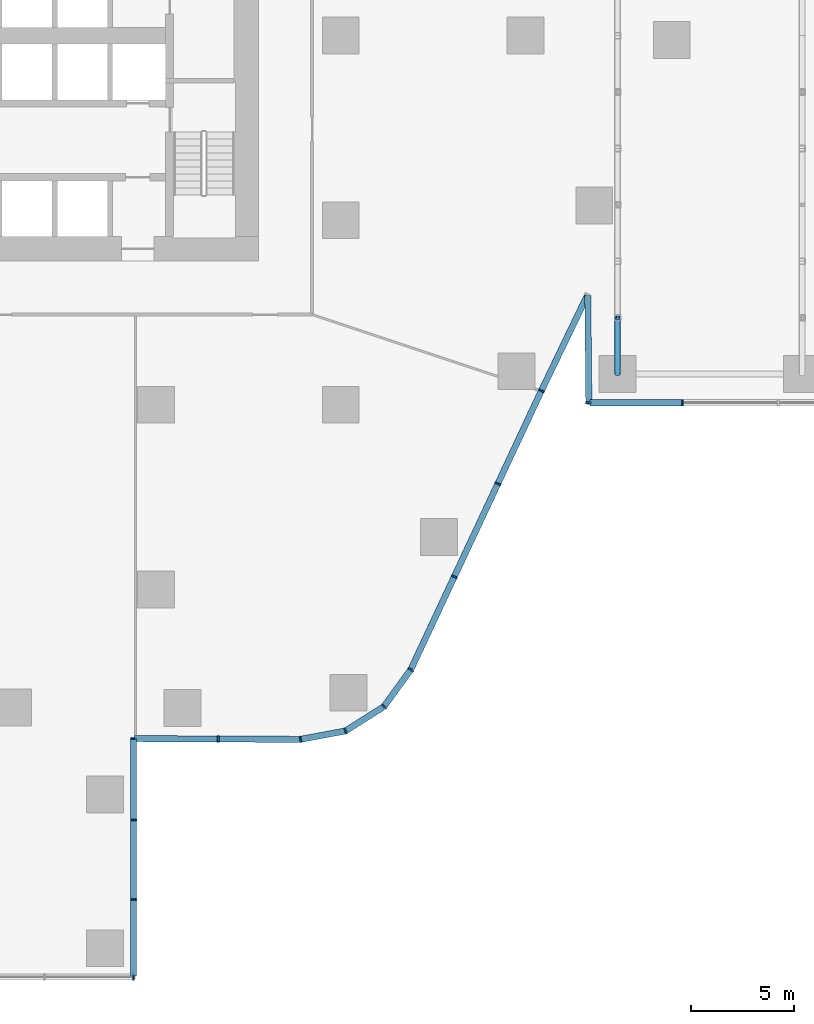
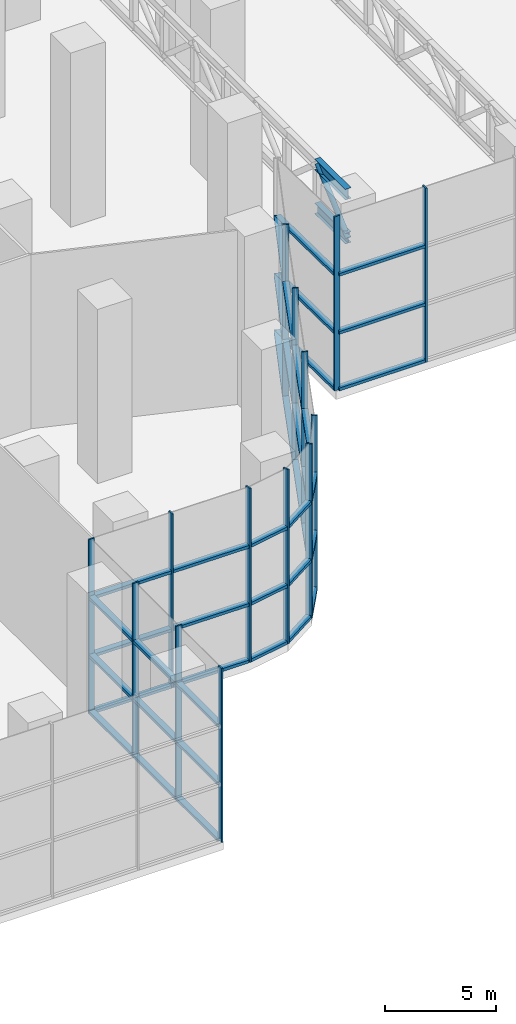
# One storey, part 5 of 21: 59 members, 7 elements without a shape of their own.
"""IFC4 building model written with IfcOpenShell, lengths in metres."""

from ifc_helpers import new_model, si_unit, direction, frame, origin, origin_2d, place, context, subcontext, project, spatial, rectangle, hollow_circle, i_section, extrude, material, layer, layer_set, material_profile, profile_set, type_object, element, aggregate, save


model = new_model("IFC4")

# Units and contexts
model_context = context("Model", 3, precision=1e-05, world=origin(), true_north=direction((0.0, 1.0)))
body_context = subcontext(model_context, "Body", "Model", "MODEL_VIEW")
ifc_project = project(units=[si_unit("LENGTHUNIT", "METRE"), si_unit("AREAUNIT", "SQUARE_METRE"), si_unit("VOLUMEUNIT", "CUBIC_METRE"), si_unit("PLANEANGLEUNIT", "RADIAN"), si_unit("MASSUNIT", "GRAM", prefix="KILO")], contexts=[model_context])

# Site, building, storey
site_placement = place(None, origin())
site = spatial("IfcSite", under=ifc_project, at=site_placement, CompositionType="ELEMENT")
building_placement = place(site_placement, origin())
building = spatial("IfcBuilding", under=site, at=building_placement, Name="Dongbaek Canopy Tower", CompositionType="ELEMENT")
storey_placement = place(building_placement, frame((0.0, 0.0, 9.0)))
storey = spatial("IfcBuildingStorey", under=building, at=storey_placement, Name="L01", CompositionType="ELEMENT", Elevation=9.0)

# Members
ifc_material_1 = material(Name="Steel S355", Category="steel")
ifc_material_profile_1 = material_profile(ifc_material_1, hollow_circle(Radius=0.1337890625, WallThickness=0.00927734375, at=origin_2d()), Name="BRACE CHS 267.4x9.3 Steel S355")
ifc_profile_set_1 = profile_set([ifc_material_profile_1], Name="Steel S355")
member_type_1 = type_object("IfcMemberType", Name="BRACE CHS 267.4x9.3 Steel S355", PredefinedType="BRACE", material=ifc_profile_set_1)
member_1_placement = place(storey_placement, frame((31.5, -16.5, 6.993896484375), z_axis=(0.0, 0.751782331066, 0.659411348627), x_axis=(-1.0, 0.0, 0.0)))
element("IfcMember", 1, at=member_1_placement, inside=storey, type_object=member_type_1, Name="ROOFTRUSS:EW:0:D0", PredefinedType="BRACE", context=body_context, shape_type="SweptSolid", body=[
    extrude(hollow_circle(Radius=0.1337890625, WallThickness=0.00927734375, at=origin_2d()), origin(), (0.0, 0.0, 1.0), 3.657958984375),
])
ifc_material_2 = material(Name="Steel S355", Category="steel")
ifc_material_profile_2 = material_profile(ifc_material_2, i_section(OverallWidth=0.300048828125, OverallDepth=0.587890625, WebThickness=0.011962890625, FlangeThickness=0.02001953125, FilletRadius=0.028076171875, at=origin_2d()), Name="CHORD H 588x300x12x20 Steel S355")
ifc_profile_set_2 = profile_set([ifc_material_profile_2], Name="Steel S355")
member_type_2 = type_object("IfcMemberType", Name="CHORD H 588x300x12x20 Steel S355", PredefinedType="CHORD", material=ifc_profile_set_2)
for number, where, z_axis, x_axis, name in (
    (2, (31.5, -16.5, 6.993896484375), (0.0, 1.0, 0.0), (-1.0, 0.0, 0.0), "ROOFTRUSS:EW:0:CB0"),
    (3, (31.5, -16.5, 9.406005859375), (0.0, 1.0, 0.0), (-1.0, 0.0, 0.0), "ROOFTRUSS:EW:0:CT0"),
):
    element("IfcMember", number, at=place(storey_placement, frame(where, z_axis=z_axis, x_axis=x_axis)), inside=storey, type_object=member_type_2, Name=name, PredefinedType="CHORD", context=body_context, shape_type="SweptSolid", body=[
        extrude(i_section(OverallWidth=0.300048828125, OverallDepth=0.587890625, WebThickness=0.011962890625, FlangeThickness=0.02001953125, FilletRadius=0.028076171875, at=origin_2d()), origin(), (0.0, 0.0, 1.0), 2.75),
    ])

# Curtain wall, members
ifc_material_3 = material(Name="Aluminium 6063-T6 pale anodised", Category="aluminium")
ifc_layer = layer(ifc_material_3, 0.300048828125)
ifc_layer_set = layer_set([ifc_layer], Name="CW-2 podium hall curtain wall")
curtain_wall_type = type_object("IfcCurtainWallType", Name="CW-2 podium hall curtain wall", PredefinedType="NOTDEFINED", material=ifc_layer_set)
curtain_wall_1_placement = place(storey_placement, origin())
curtain_wall_1 = element("IfcCurtainWall", 4, at=curtain_wall_1_placement, inside=storey, type_object=curtain_wall_type, Name="CW-2 curtain wall K0.1", PredefinedType="NOTDEFINED")
ifc_material_4 = material(Name="Aluminium 6063-T6 pale anodised", Category="aluminium")
ifc_material_profile_3 = material_profile(ifc_material_4, rectangle(XDim=0.300048828125, YDim=0.080078125, at=origin_2d()), Name="CW-2 mullion 80 x 300")
ifc_profile_set_3 = profile_set([ifc_material_profile_3], Name="Aluminium 6063-T6 pale anodised")
member_type_3 = type_object("IfcMemberType", Name="CW-2 mullion 80 x 300", PredefinedType="MULLION", material=ifc_profile_set_3)
member_2_placement = place(storey_placement, frame((16.03662109375, -34.31591796875, 0.0), z_axis=(0.0, 0.0, 1.0), x_axis=(0.184024020391, -0.98292174659, 0.0)))
member_2 = element("IfcMember", 5, at=member_2_placement, type_object=member_type_3, Name="CW-2 mullion K0.1.1", PredefinedType="MULLION", context=body_context, shape_type="SweptSolid", body=[
    extrude(rectangle(XDim=0.300048828125, YDim=0.080078125, at=origin_2d()), origin(), (0.0, 0.0, 1.0), 9.550048828125),
])
member_3_placement = place(storey_placement, frame((18.23095703125, -33.9052734375, 0.0), z_axis=(0.0, 0.0, 1.0), x_axis=(0.365922378018, -0.930645374601, 0.0)))
member_3 = element("IfcMember", 6, at=member_3_placement, type_object=member_type_3, Name="CW-2 mullion K0.1.2", PredefinedType="MULLION", context=body_context, shape_type="SweptSolid", body=[
    extrude(rectangle(XDim=0.300048828125, YDim=0.080078125, at=origin_2d()), origin(), (0.0, 0.0, 1.0), 9.550048828125),
])
member_4_placement = place(storey_placement, frame((20.10888671875, -32.716796875, 0.0), z_axis=(0.0, 0.0, 1.0), x_axis=(0.684351137635, -0.729152604342, 0.0)))
member_4 = element("IfcMember", 7, at=member_4_placement, type_object=member_type_3, Name="CW-2 mullion K0.1.3", PredefinedType="MULLION", context=body_context, shape_type="SweptSolid", body=[
    extrude(rectangle(XDim=0.300048828125, YDim=0.080078125, at=origin_2d()), origin(), (0.0, 0.0, 1.0), 9.550048828125),
])
member_5_placement = place(storey_placement, frame((21.419677734375, -30.909912109375, 0.0), z_axis=(0.0, 0.0, 1.0), x_axis=(0.809475494092, -0.587153663418, 0.0)))
member_5 = element("IfcMember", 8, at=member_5_placement, type_object=member_type_3, Name="CW-2 mullion K0.1.4", PredefinedType="MULLION", context=body_context, shape_type="SweptSolid", body=[
    extrude(rectangle(XDim=0.300048828125, YDim=0.080078125, at=origin_2d()), origin(), (0.0, 0.0, 1.0), 9.550048828125),
])

curtain_wall_2_placement = place(storey_placement, origin())
curtain_wall_2 = element("IfcCurtainWall", 9, at=curtain_wall_2_placement, inside=storey, type_object=curtain_wall_type, Name="CW-2 curtain wall F0.1", PredefinedType="NOTDEFINED")
member_6_placement = place(storey_placement, frame((23.5390625, -26.38427734375, 0.0), z_axis=(0.0, 0.0, 1.0), x_axis=(0.905604660176, -0.42412285893, 0.0)))
member_6 = element("IfcMember", 10, at=member_6_placement, type_object=member_type_3, Name="CW-2 mullion F0.1.2", PredefinedType="MULLION", context=body_context, shape_type="SweptSolid", body=[
    extrude(rectangle(XDim=0.300048828125, YDim=0.080078125, at=origin_2d()), origin(), (0.0, 0.0, 1.0), 9.550048828125),
])
member_7_placement = place(storey_placement, frame((25.66259765625, -21.850341796875, 0.0), z_axis=(0.0, 0.0, 1.0), x_axis=(0.905604660176, -0.42412285893, 0.0)))
member_7 = element("IfcMember", 11, at=member_7_placement, type_object=member_type_3, Name="CW-2 mullion F0.1.3", PredefinedType="MULLION", context=body_context, shape_type="SweptSolid", body=[
    extrude(rectangle(XDim=0.300048828125, YDim=0.080078125, at=origin_2d()), origin(), (0.0, 0.0, 1.0), 9.550048828125),
])
member_8_placement = place(storey_placement, frame((27.785888671875, -17.316162109375, 0.0), z_axis=(0.0, 0.0, 1.0), x_axis=(0.903286066188, -0.429038789191, 0.0)))
member_8 = element("IfcMember", 12, at=member_8_placement, type_object=member_type_3, Name="CW-2 mullion F0.1.4", PredefinedType="MULLION", context=body_context, shape_type="SweptSolid", body=[
    extrude(rectangle(XDim=0.300048828125, YDim=0.080078125, at=origin_2d()), origin(), (0.0, 0.0, 1.0), 9.550048828125),
])

# Curtain wall, member
curtain_wall_3_placement = place(storey_placement, origin())
curtain_wall_3 = element("IfcCurtainWall", 13, at=curtain_wall_3_placement, inside=storey, type_object=curtain_wall_type, Name="CW-2 curtain wall F1.1", PredefinedType="NOTDEFINED")
member_9_placement = place(storey_placement, frame((30.10009765625, -17.89990234375, 0.0), z_axis=(0.0, 0.0, 1.0), x_axis=(-0.999942447901, -0.010728508095, 0.0)))
member_9 = element("IfcMember", 14, at=member_9_placement, type_object=member_type_3, Name="CW-2 mullion F1.1.2", PredefinedType="MULLION", context=body_context, shape_type="SweptSolid", body=[
    extrude(rectangle(XDim=0.300048828125, YDim=0.080078125, at=origin_2d()), origin(), (0.0, 0.0, 1.0), 9.550048828125),
])

curtain_wall_4_placement = place(storey_placement, origin())
curtain_wall_4 = element("IfcCurtainWall", 15, at=curtain_wall_4_placement, inside=storey, type_object=curtain_wall_type, Name="CW-2 curtain wall F2.1", PredefinedType="NOTDEFINED")
member_10_placement = place(storey_placement, frame((34.666748046875, -17.89990234375, 0.0), z_axis=(0.0, 0.0, 1.0), x_axis=(0.0, -1.0, 0.0)))
member_10 = element("IfcMember", 16, at=member_10_placement, type_object=member_type_3, Name="CW-2 mullion F2.1.2", PredefinedType="MULLION", context=body_context, shape_type="SweptSolid", body=[
    extrude(rectangle(XDim=0.300048828125, YDim=0.080078125, at=origin_2d()), origin(), (0.0, 0.0, 1.0), 9.550048828125),
])

curtain_wall_5_placement = place(storey_placement, origin())
curtain_wall_5 = element("IfcCurtainWall", 17, at=curtain_wall_5_placement, inside=storey, type_object=curtain_wall_type, Name="CW-2 curtain wall F11.1", PredefinedType="NOTDEFINED")
member_11_placement = place(storey_placement, frame((7.89990234375, -45.89990234375, 0.0), z_axis=(0.0, 0.0, 1.0), x_axis=(0.0, -1.0, 0.0)))
member_11 = element("IfcMember", 18, at=member_11_placement, type_object=member_type_3, Name="CW-2 mullion F11.1.10", PredefinedType="MULLION", context=body_context, shape_type="SweptSolid", body=[
    extrude(rectangle(XDim=0.300048828125, YDim=0.080078125, at=origin_2d()), origin(), (0.0, 0.0, 1.0), 9.550048828125),
])
aggregate(curtain_wall_5, [member_11])

# Curtain wall, members
curtain_wall_6_placement = place(storey_placement, origin())
curtain_wall_6 = element("IfcCurtainWall", 19, at=curtain_wall_6_placement, inside=storey, type_object=curtain_wall_type, Name="CW-2 curtain wall F12.1", PredefinedType="NOTDEFINED")
member_12_placement = place(storey_placement, frame((7.89990234375, -42.126708984375, 0.0), z_axis=(0.0, 0.0, 1.0), x_axis=(1.0, 0.0, 0.0)))
member_12 = element("IfcMember", 20, at=member_12_placement, type_object=member_type_3, Name="CW-2 mullion F12.1.2", PredefinedType="MULLION", context=body_context, shape_type="SweptSolid", body=[
    extrude(rectangle(XDim=0.300048828125, YDim=0.080078125, at=origin_2d()), origin(), (0.0, 0.0, 1.0), 9.550048828125),
])
member_13_placement = place(storey_placement, frame((7.89990234375, -38.25341796875, 0.0), z_axis=(0.0, 0.0, 1.0), x_axis=(1.0, 0.0, 0.0)))
member_13 = element("IfcMember", 21, at=member_13_placement, type_object=member_type_3, Name="CW-2 mullion F12.1.3", PredefinedType="MULLION", context=body_context, shape_type="SweptSolid", body=[
    extrude(rectangle(XDim=0.300048828125, YDim=0.080078125, at=origin_2d()), origin(), (0.0, 0.0, 1.0), 9.550048828125),
])
member_14_placement = place(storey_placement, frame((7.89990234375, -34.27978515625, 0.0), z_axis=(0.0, 0.0, 1.0), x_axis=(1.0, 0.0, 0.0)))
member_14 = element("IfcMember", 22, at=member_14_placement, type_object=member_type_3, Name="CW-2 mullion F12.1.4", PredefinedType="MULLION", context=body_context, shape_type="SweptSolid", body=[
    extrude(rectangle(XDim=0.300048828125, YDim=0.080078125, at=origin_2d()), origin(), (0.0, 0.0, 1.0), 9.550048828125),
])

# Curtain wall, member
curtain_wall_7_placement = place(storey_placement, origin())
curtain_wall_7 = element("IfcCurtainWall", 23, at=curtain_wall_7_placement, inside=storey, type_object=curtain_wall_type, Name="CW-2 curtain wall F13.1", PredefinedType="NOTDEFINED")
member_15_placement = place(storey_placement, frame((12.0234375, -34.298095703125, 0.0), z_axis=(0.0, 0.0, 1.0), x_axis=(-0.004466151006, -0.999990026698, 0.0)))
member_15 = element("IfcMember", 24, at=member_15_placement, type_object=member_type_3, Name="CW-2 mullion F13.1.2", PredefinedType="MULLION", context=body_context, shape_type="SweptSolid", body=[
    extrude(rectangle(XDim=0.300048828125, YDim=0.080078125, at=origin_2d()), origin(), (0.0, 0.0, 1.0), 9.550048828125),
])

# Member
ifc_material_5 = material(Name="Aluminium 6063-T6 pale anodised", Category="aluminium")
ifc_material_profile_4 = material_profile(ifc_material_5, rectangle(XDim=0.300048828125, YDim=0.159912109375, at=origin_2d()), Name="CW-2 transom 160 x 300")
ifc_profile_set_4 = profile_set([ifc_material_profile_4], Name="Aluminium 6063-T6 pale anodised")
member_type_4 = type_object("IfcMemberType", Name="CW-2 transom 160 x 300", PredefinedType="USERDEFINED", material=ifc_profile_set_4)
member_16_placement = place(storey_placement, frame((16.087890625, -34.306396484375, 0.080078125), z_axis=(0.982924096729, 0.184011467221, 0.0), x_axis=(-0.184011467221, 0.982924096729, 0.0)))
member_16 = element("IfcMember", 25, at=member_16_placement, type_object=member_type_4, Name="CW-2 transom K0.1.1.1", ObjectType="TRANSOM", PredefinedType="USERDEFINED", context=body_context, shape_type="SweptSolid", body=[
    extrude(rectangle(XDim=0.300048828125, YDim=0.159912109375, at=origin_2d()), origin(), (0.0, 0.0, 1.0), 2.128173828125),
])

member_17_placement = place(storey_placement, frame((16.087890625, -34.306396484375, 3.183349609375), z_axis=(0.982924096729, 0.184011467221, 0.0), x_axis=(-0.184011467221, 0.982924096729, 0.0)))
member_17 = element("IfcMember", 26, at=member_17_placement, type_object=member_type_4, Name="CW-2 transom K0.1.1.2", ObjectType="TRANSOM", PredefinedType="USERDEFINED", context=body_context, shape_type="SweptSolid", body=[
    extrude(rectangle(XDim=0.300048828125, YDim=0.159912109375, at=origin_2d()), origin(), (0.0, 0.0, 1.0), 2.128173828125),
])

member_18_placement = place(storey_placement, frame((16.087890625, -34.306396484375, 6.36669921875), z_axis=(0.982924096729, 0.184011467221, 0.0), x_axis=(-0.184011467221, 0.982924096729, 0.0)))
member_18 = element("IfcMember", 27, at=member_18_placement, type_object=member_type_4, Name="CW-2 transom K0.1.1.3", ObjectType="TRANSOM", PredefinedType="USERDEFINED", context=body_context, shape_type="SweptSolid", body=[
    extrude(rectangle(XDim=0.300048828125, YDim=0.159912109375, at=origin_2d()), origin(), (0.0, 0.0, 1.0), 2.128173828125),
])

member_19_placement = place(storey_placement, frame((18.27490234375, -33.87744140625, 0.080078125), z_axis=(0.845006566242, 0.534755928446, 0.0), x_axis=(-0.534755928446, 0.845006566242, 0.0)))
member_19 = element("IfcMember", 28, at=member_19_placement, type_object=member_type_4, Name="CW-2 transom K0.1.2.1", ObjectType="TRANSOM", PredefinedType="USERDEFINED", context=body_context, shape_type="SweptSolid", body=[
    extrude(rectangle(XDim=0.300048828125, YDim=0.159912109375, at=origin_2d()), origin(), (0.0, 0.0, 1.0), 2.118408203125),
])

member_20_placement = place(storey_placement, frame((18.27490234375, -33.87744140625, 3.183349609375), z_axis=(0.845006566242, 0.534755928446, 0.0), x_axis=(-0.534755928446, 0.845006566242, 0.0)))
member_20 = element("IfcMember", 29, at=member_20_placement, type_object=member_type_4, Name="CW-2 transom K0.1.2.2", ObjectType="TRANSOM", PredefinedType="USERDEFINED", context=body_context, shape_type="SweptSolid", body=[
    extrude(rectangle(XDim=0.300048828125, YDim=0.159912109375, at=origin_2d()), origin(), (0.0, 0.0, 1.0), 2.118408203125),
])

member_21_placement = place(storey_placement, frame((18.27490234375, -33.87744140625, 6.36669921875), z_axis=(0.845006566242, 0.534755928446, 0.0), x_axis=(-0.534755928446, 0.845006566242, 0.0)))
member_21 = element("IfcMember", 30, at=member_21_placement, type_object=member_type_4, Name="CW-2 transom K0.1.2.3", ObjectType="TRANSOM", PredefinedType="USERDEFINED", context=body_context, shape_type="SweptSolid", body=[
    extrude(rectangle(XDim=0.300048828125, YDim=0.159912109375, at=origin_2d()), origin(), (0.0, 0.0, 1.0), 2.118408203125),
])

member_22_placement = place(storey_placement, frame((20.1396484375, -32.6748046875, 0.080078125), z_axis=(0.587093507352, 0.809519124928, 0.0), x_axis=(-0.809519124928, 0.587093507352, 0.0)))
member_22 = element("IfcMember", 31, at=member_22_placement, type_object=member_type_4, Name="CW-2 transom K0.1.3.1", ObjectType="TRANSOM", PredefinedType="USERDEFINED", context=body_context, shape_type="SweptSolid", body=[
    extrude(rectangle(XDim=0.300048828125, YDim=0.159912109375, at=origin_2d()), origin(), (0.0, 0.0, 1.0), 2.12841796875),
])

member_23_placement = place(storey_placement, frame((20.1396484375, -32.6748046875, 3.183349609375), z_axis=(0.587093507352, 0.809519124928, 0.0), x_axis=(-0.809519124928, 0.587093507352, 0.0)))
member_23 = element("IfcMember", 32, at=member_23_placement, type_object=member_type_4, Name="CW-2 transom K0.1.3.2", ObjectType="TRANSOM", PredefinedType="USERDEFINED", context=body_context, shape_type="SweptSolid", body=[
    extrude(rectangle(XDim=0.300048828125, YDim=0.159912109375, at=origin_2d()), origin(), (0.0, 0.0, 1.0), 2.12841796875),
])

member_24_placement = place(storey_placement, frame((20.1396484375, -32.6748046875, 6.36669921875), z_axis=(0.587093507352, 0.809519124928, 0.0), x_axis=(-0.809519124928, 0.587093507352, 0.0)))
member_24 = element("IfcMember", 33, at=member_24_placement, type_object=member_type_4, Name="CW-2 transom K0.1.3.3", ObjectType="TRANSOM", PredefinedType="USERDEFINED", context=body_context, shape_type="SweptSolid", body=[
    extrude(rectangle(XDim=0.300048828125, YDim=0.159912109375, at=origin_2d()), origin(), (0.0, 0.0, 1.0), 2.12841796875),
])

aggregate(curtain_wall_1, [member_2, member_3, member_4, member_5, member_16, member_17, member_18, member_19, member_20, member_21, member_22, member_23, member_24])

member_25_placement = place(storey_placement, frame((21.441650390625, -30.86279296875, 0.080078125), z_axis=(0.424136016304, 0.905598498052, 0.0), x_axis=(-0.905598498052, 0.424136016304, 0.0)))
member_25 = element("IfcMember", 34, at=member_25_placement, type_object=member_type_4, Name="CW-2 transom F0.1.1.1", ObjectType="TRANSOM", PredefinedType="USERDEFINED", context=body_context, shape_type="SweptSolid", body=[
    extrude(rectangle(XDim=0.300048828125, YDim=0.159912109375, at=origin_2d()), origin(), (0.0, 0.0, 1.0), 4.893310546875),
])

member_26_placement = place(storey_placement, frame((21.441650390625, -30.86279296875, 3.183349609375), z_axis=(0.424136016304, 0.905598498052, 0.0), x_axis=(-0.905598498052, 0.424136016304, 0.0)))
member_26 = element("IfcMember", 35, at=member_26_placement, type_object=member_type_4, Name="CW-2 transom F0.1.1.2", ObjectType="TRANSOM", PredefinedType="USERDEFINED", context=body_context, shape_type="SweptSolid", body=[
    extrude(rectangle(XDim=0.300048828125, YDim=0.159912109375, at=origin_2d()), origin(), (0.0, 0.0, 1.0), 4.893310546875),
])

member_27_placement = place(storey_placement, frame((21.441650390625, -30.86279296875, 6.36669921875), z_axis=(0.424136016304, 0.905598498052, 0.0), x_axis=(-0.905598498052, 0.424136016304, 0.0)))
member_27 = element("IfcMember", 36, at=member_27_placement, type_object=member_type_4, Name="CW-2 transom F0.1.1.3", ObjectType="TRANSOM", PredefinedType="USERDEFINED", context=body_context, shape_type="SweptSolid", body=[
    extrude(rectangle(XDim=0.300048828125, YDim=0.159912109375, at=origin_2d()), origin(), (0.0, 0.0, 1.0), 4.893310546875),
])

member_28_placement = place(storey_placement, frame((23.56103515625, -26.337158203125, 0.080078125), z_axis=(0.424139125873, 0.905597041682, 0.0), x_axis=(-0.905597041682, 0.424139125873, 0.0)))
member_28 = element("IfcMember", 37, at=member_28_placement, type_object=member_type_4, Name="CW-2 transom F0.1.2.1", ObjectType="TRANSOM", PredefinedType="USERDEFINED", context=body_context, shape_type="SweptSolid", body=[
    extrude(rectangle(XDim=0.300048828125, YDim=0.159912109375, at=origin_2d()), origin(), (0.0, 0.0, 1.0), 4.902587890625),
])

member_29_placement = place(storey_placement, frame((23.56103515625, -26.337158203125, 3.183349609375), z_axis=(0.424139125873, 0.905597041682, 0.0), x_axis=(-0.905597041682, 0.424139125873, 0.0)))
member_29 = element("IfcMember", 38, at=member_29_placement, type_object=member_type_4, Name="CW-2 transom F0.1.2.2", ObjectType="TRANSOM", PredefinedType="USERDEFINED", context=body_context, shape_type="SweptSolid", body=[
    extrude(rectangle(XDim=0.300048828125, YDim=0.159912109375, at=origin_2d()), origin(), (0.0, 0.0, 1.0), 4.902587890625),
])

member_30_placement = place(storey_placement, frame((23.56103515625, -26.337158203125, 6.36669921875), z_axis=(0.424139125873, 0.905597041682, 0.0), x_axis=(-0.905597041682, 0.424139125873, 0.0)))
member_30 = element("IfcMember", 39, at=member_30_placement, type_object=member_type_4, Name="CW-2 transom F0.1.2.3", ObjectType="TRANSOM", PredefinedType="USERDEFINED", context=body_context, shape_type="SweptSolid", body=[
    extrude(rectangle(XDim=0.300048828125, YDim=0.159912109375, at=origin_2d()), origin(), (0.0, 0.0, 1.0), 4.902587890625),
])

member_31_placement = place(storey_placement, frame((25.6845703125, -21.80322265625, 0.080078125), z_axis=(0.424119998841, 0.905605999639, 0.0), x_axis=(-0.905605999639, 0.424119998841, 0.0)))
member_31 = element("IfcMember", 40, at=member_31_placement, type_object=member_type_4, Name="CW-2 transom F0.1.3.1", ObjectType="TRANSOM", PredefinedType="USERDEFINED", context=body_context, shape_type="SweptSolid", body=[
    extrude(rectangle(XDim=0.300048828125, YDim=0.159912109375, at=origin_2d()), origin(), (0.0, 0.0, 1.0), 4.90283203125),
])

member_32_placement = place(storey_placement, frame((25.6845703125, -21.80322265625, 3.183349609375), z_axis=(0.424119998841, 0.905605999639, 0.0), x_axis=(-0.905605999639, 0.424119998841, 0.0)))
member_32 = element("IfcMember", 41, at=member_32_placement, type_object=member_type_4, Name="CW-2 transom F0.1.3.2", ObjectType="TRANSOM", PredefinedType="USERDEFINED", context=body_context, shape_type="SweptSolid", body=[
    extrude(rectangle(XDim=0.300048828125, YDim=0.159912109375, at=origin_2d()), origin(), (0.0, 0.0, 1.0), 4.90283203125),
])

member_33_placement = place(storey_placement, frame((25.6845703125, -21.80322265625, 6.36669921875), z_axis=(0.424119998841, 0.905605999639, 0.0), x_axis=(-0.905605999639, 0.424119998841, 0.0)))
member_33 = element("IfcMember", 42, at=member_33_placement, type_object=member_type_4, Name="CW-2 transom F0.1.3.3", ObjectType="TRANSOM", PredefinedType="USERDEFINED", context=body_context, shape_type="SweptSolid", body=[
    extrude(rectangle(XDim=0.300048828125, YDim=0.159912109375, at=origin_2d()), origin(), (0.0, 0.0, 1.0), 4.90283203125),
])

member_34_placement = place(storey_placement, frame((27.80859375, -17.269287109375, 0.080078125), z_axis=(0.433966797829, 0.900928864219, 0.0), x_axis=(-0.900928864219, 0.433966797829, 0.0)))
member_34 = element("IfcMember", 43, at=member_34_placement, type_object=member_type_4, Name="CW-2 transom F0.1.4.1", ObjectType="TRANSOM", PredefinedType="USERDEFINED", context=body_context, shape_type="SweptSolid", body=[
    extrude(rectangle(XDim=0.300048828125, YDim=0.159912109375, at=origin_2d()), origin(), (0.0, 0.0, 1.0), 5.09814453125),
])

member_35_placement = place(storey_placement, frame((27.80859375, -17.269287109375, 3.183349609375), z_axis=(0.433966797829, 0.900928864219, 0.0), x_axis=(-0.900928864219, 0.433966797829, 0.0)))
member_35 = element("IfcMember", 44, at=member_35_placement, type_object=member_type_4, Name="CW-2 transom F0.1.4.2", ObjectType="TRANSOM", PredefinedType="USERDEFINED", context=body_context, shape_type="SweptSolid", body=[
    extrude(rectangle(XDim=0.300048828125, YDim=0.159912109375, at=origin_2d()), origin(), (0.0, 0.0, 1.0), 5.09814453125),
])

member_36_placement = place(storey_placement, frame((27.80859375, -17.269287109375, 6.36669921875), z_axis=(0.433966797829, 0.900928864219, 0.0), x_axis=(-0.900928864219, 0.433966797829, 0.0)))
member_36 = element("IfcMember", 45, at=member_36_placement, type_object=member_type_4, Name="CW-2 transom F0.1.4.3", ObjectType="TRANSOM", PredefinedType="USERDEFINED", context=body_context, shape_type="SweptSolid", body=[
    extrude(rectangle(XDim=0.300048828125, YDim=0.159912109375, at=origin_2d()), origin(), (0.0, 0.0, 1.0), 5.09814453125),
])

aggregate(curtain_wall_2, [member_6, member_7, member_8, member_25, member_26, member_27, member_28, member_29, member_30, member_31, member_32, member_33, member_34, member_35, member_36])

member_37_placement = place(storey_placement, frame((30.0439453125, -12.681396484375, 0.080078125), z_axis=(0.010726157329, -0.99994247312, 0.0), x_axis=(0.99994247312, 0.010726157329, 0.0)))
member_37 = element("IfcMember", 46, at=member_37_placement, type_object=member_type_4, Name="CW-2 transom F1.1.1.1", ObjectType="TRANSOM", PredefinedType="USERDEFINED", context=body_context, shape_type="SweptSolid", body=[
    extrude(rectangle(XDim=0.300048828125, YDim=0.159912109375, at=origin_2d()), origin(), (0.0, 0.0, 1.0), 5.166748046875),
])

member_38_placement = place(storey_placement, frame((30.0439453125, -12.681396484375, 3.183349609375), z_axis=(0.010726157329, -0.99994247312, 0.0), x_axis=(0.99994247312, 0.010726157329, 0.0)))
member_38 = element("IfcMember", 47, at=member_38_placement, type_object=member_type_4, Name="CW-2 transom F1.1.1.2", ObjectType="TRANSOM", PredefinedType="USERDEFINED", context=body_context, shape_type="SweptSolid", body=[
    extrude(rectangle(XDim=0.300048828125, YDim=0.159912109375, at=origin_2d()), origin(), (0.0, 0.0, 1.0), 5.166748046875),
])

member_39_placement = place(storey_placement, frame((30.0439453125, -12.681396484375, 6.36669921875), z_axis=(0.010726157329, -0.99994247312, 0.0), x_axis=(0.99994247312, 0.010726157329, 0.0)))
member_39 = element("IfcMember", 48, at=member_39_placement, type_object=member_type_4, Name="CW-2 transom F1.1.1.3", ObjectType="TRANSOM", PredefinedType="USERDEFINED", context=body_context, shape_type="SweptSolid", body=[
    extrude(rectangle(XDim=0.300048828125, YDim=0.159912109375, at=origin_2d()), origin(), (0.0, 0.0, 1.0), 5.166748046875),
])

aggregate(curtain_wall_3, [member_9, member_37, member_38, member_39])

member_40_placement = place(storey_placement, frame((30.152099609375, -17.89990234375, 0.080078125), z_axis=(1.0, 0.0, 0.0), x_axis=(0.0, 1.0, 0.0)))
member_40 = element("IfcMember", 49, at=member_40_placement, type_object=member_type_4, Name="CW-2 transom F2.1.1.1", ObjectType="TRANSOM", PredefinedType="USERDEFINED", context=body_context, shape_type="SweptSolid", body=[
    extrude(rectangle(XDim=0.300048828125, YDim=0.159912109375, at=origin_2d()), origin(), (0.0, 0.0, 1.0), 4.462646484375),
])

member_41_placement = place(storey_placement, frame((30.152099609375, -17.89990234375, 3.183349609375), z_axis=(1.0, 0.0, 0.0), x_axis=(0.0, 1.0, 0.0)))
member_41 = element("IfcMember", 50, at=member_41_placement, type_object=member_type_4, Name="CW-2 transom F2.1.1.2", ObjectType="TRANSOM", PredefinedType="USERDEFINED", context=body_context, shape_type="SweptSolid", body=[
    extrude(rectangle(XDim=0.300048828125, YDim=0.159912109375, at=origin_2d()), origin(), (0.0, 0.0, 1.0), 4.462646484375),
])

member_42_placement = place(storey_placement, frame((30.152099609375, -17.89990234375, 6.36669921875), z_axis=(1.0, 0.0, 0.0), x_axis=(0.0, 1.0, 0.0)))
member_42 = element("IfcMember", 51, at=member_42_placement, type_object=member_type_4, Name="CW-2 transom F2.1.1.3", ObjectType="TRANSOM", PredefinedType="USERDEFINED", context=body_context, shape_type="SweptSolid", body=[
    extrude(rectangle(XDim=0.300048828125, YDim=0.159912109375, at=origin_2d()), origin(), (0.0, 0.0, 1.0), 4.462646484375),
])

aggregate(curtain_wall_4, [member_10, member_40, member_41, member_42])

member_43_placement = place(storey_placement, frame((7.89990234375, -45.847900390625, 0.080078125), z_axis=(0.0, 1.0, 0.0), x_axis=(-1.0, 0.0, 0.0)))
member_43 = element("IfcMember", 52, at=member_43_placement, type_object=member_type_4, Name="CW-2 transom F12.1.1.1", ObjectType="TRANSOM", PredefinedType="USERDEFINED", context=body_context, shape_type="SweptSolid", body=[
    extrude(rectangle(XDim=0.300048828125, YDim=0.159912109375, at=origin_2d()), origin(), (0.0, 0.0, 1.0), 3.669189453125),
])

member_44_placement = place(storey_placement, frame((7.89990234375, -45.847900390625, 3.183349609375), z_axis=(0.0, 1.0, 0.0), x_axis=(-1.0, 0.0, 0.0)))
member_44 = element("IfcMember", 53, at=member_44_placement, type_object=member_type_4, Name="CW-2 transom F12.1.1.2", ObjectType="TRANSOM", PredefinedType="USERDEFINED", context=body_context, shape_type="SweptSolid", body=[
    extrude(rectangle(XDim=0.300048828125, YDim=0.159912109375, at=origin_2d()), origin(), (0.0, 0.0, 1.0), 3.669189453125),
])

member_45_placement = place(storey_placement, frame((7.89990234375, -45.847900390625, 6.36669921875), z_axis=(0.0, 1.0, 0.0), x_axis=(-1.0, 0.0, 0.0)))
member_45 = element("IfcMember", 54, at=member_45_placement, type_object=member_type_4, Name="CW-2 transom F12.1.1.3", ObjectType="TRANSOM", PredefinedType="USERDEFINED", context=body_context, shape_type="SweptSolid", body=[
    extrude(rectangle(XDim=0.300048828125, YDim=0.159912109375, at=origin_2d()), origin(), (0.0, 0.0, 1.0), 3.669189453125),
])

member_46_placement = place(storey_placement, frame((7.89990234375, -42.07470703125, 0.080078125), z_axis=(0.0, 1.0, 0.0), x_axis=(-1.0, 0.0, 0.0)))
member_46 = element("IfcMember", 55, at=member_46_placement, type_object=member_type_4, Name="CW-2 transom F12.1.2.1", ObjectType="TRANSOM", PredefinedType="USERDEFINED", context=body_context, shape_type="SweptSolid", body=[
    extrude(rectangle(XDim=0.300048828125, YDim=0.159912109375, at=origin_2d()), origin(), (0.0, 0.0, 1.0), 3.769287109375),
])

member_47_placement = place(storey_placement, frame((7.89990234375, -42.07470703125, 3.183349609375), z_axis=(0.0, 1.0, 0.0), x_axis=(-1.0, 0.0, 0.0)))
member_47 = element("IfcMember", 56, at=member_47_placement, type_object=member_type_4, Name="CW-2 transom F12.1.2.2", ObjectType="TRANSOM", PredefinedType="USERDEFINED", context=body_context, shape_type="SweptSolid", body=[
    extrude(rectangle(XDim=0.300048828125, YDim=0.159912109375, at=origin_2d()), origin(), (0.0, 0.0, 1.0), 3.769287109375),
])

member_48_placement = place(storey_placement, frame((7.89990234375, -42.07470703125, 6.36669921875), z_axis=(0.0, 1.0, 0.0), x_axis=(-1.0, 0.0, 0.0)))
member_48 = element("IfcMember", 57, at=member_48_placement, type_object=member_type_4, Name="CW-2 transom F12.1.2.3", ObjectType="TRANSOM", PredefinedType="USERDEFINED", context=body_context, shape_type="SweptSolid", body=[
    extrude(rectangle(XDim=0.300048828125, YDim=0.159912109375, at=origin_2d()), origin(), (0.0, 0.0, 1.0), 3.769287109375),
])

member_49_placement = place(storey_placement, frame((7.89990234375, -38.201416015625, 0.080078125), z_axis=(0.0, 1.0, 0.0), x_axis=(-1.0, 0.0, 0.0)))
member_49 = element("IfcMember", 58, at=member_49_placement, type_object=member_type_4, Name="CW-2 transom F12.1.3.1", ObjectType="TRANSOM", PredefinedType="USERDEFINED", context=body_context, shape_type="SweptSolid", body=[
    extrude(rectangle(XDim=0.300048828125, YDim=0.159912109375, at=origin_2d()), origin(), (0.0, 0.0, 1.0), 3.869873046875),
])

member_50_placement = place(storey_placement, frame((7.89990234375, -38.201416015625, 3.183349609375), z_axis=(0.0, 1.0, 0.0), x_axis=(-1.0, 0.0, 0.0)))
member_50 = element("IfcMember", 59, at=member_50_placement, type_object=member_type_4, Name="CW-2 transom F12.1.3.2", ObjectType="TRANSOM", PredefinedType="USERDEFINED", context=body_context, shape_type="SweptSolid", body=[
    extrude(rectangle(XDim=0.300048828125, YDim=0.159912109375, at=origin_2d()), origin(), (0.0, 0.0, 1.0), 3.869873046875),
])

member_51_placement = place(storey_placement, frame((7.89990234375, -38.201416015625, 6.36669921875), z_axis=(0.0, 1.0, 0.0), x_axis=(-1.0, 0.0, 0.0)))
member_51 = element("IfcMember", 60, at=member_51_placement, type_object=member_type_4, Name="CW-2 transom F12.1.3.3", ObjectType="TRANSOM", PredefinedType="USERDEFINED", context=body_context, shape_type="SweptSolid", body=[
    extrude(rectangle(XDim=0.300048828125, YDim=0.159912109375, at=origin_2d()), origin(), (0.0, 0.0, 1.0), 3.869873046875),
])

aggregate(curtain_wall_6, [member_12, member_13, member_14, member_43, member_44, member_45, member_46, member_47, member_48, member_49, member_50, member_51])

member_52_placement = place(storey_placement, frame((7.951904296875, -34.27978515625, 0.080078125), z_axis=(0.999989899191, -0.004494609605, 0.0), x_axis=(0.004494609605, 0.999989899191, 0.0)))
member_52 = element("IfcMember", 61, at=member_52_placement, type_object=member_type_4, Name="CW-2 transom F13.1.1.1", ObjectType="TRANSOM", PredefinedType="USERDEFINED", context=body_context, shape_type="SweptSolid", body=[
    extrude(rectangle(XDim=0.300048828125, YDim=0.159912109375, at=origin_2d()), origin(), (0.0, 0.0, 1.0), 4.01953125),
])

member_53_placement = place(storey_placement, frame((7.951904296875, -34.27978515625, 3.183349609375), z_axis=(0.999989899191, -0.004494609605, 0.0), x_axis=(0.004494609605, 0.999989899191, 0.0)))
member_53 = element("IfcMember", 62, at=member_53_placement, type_object=member_type_4, Name="CW-2 transom F13.1.1.2", ObjectType="TRANSOM", PredefinedType="USERDEFINED", context=body_context, shape_type="SweptSolid", body=[
    extrude(rectangle(XDim=0.300048828125, YDim=0.159912109375, at=origin_2d()), origin(), (0.0, 0.0, 1.0), 4.01953125),
])

member_54_placement = place(storey_placement, frame((7.951904296875, -34.27978515625, 6.36669921875), z_axis=(0.999989899191, -0.004494609605, 0.0), x_axis=(0.004494609605, 0.999989899191, 0.0)))
member_54 = element("IfcMember", 63, at=member_54_placement, type_object=member_type_4, Name="CW-2 transom F13.1.1.3", ObjectType="TRANSOM", PredefinedType="USERDEFINED", context=body_context, shape_type="SweptSolid", body=[
    extrude(rectangle(XDim=0.300048828125, YDim=0.159912109375, at=origin_2d()), origin(), (0.0, 0.0, 1.0), 4.01953125),
])

member_55_placement = place(storey_placement, frame((12.075439453125, -34.29833984375, 0.080078125), z_axis=(0.999990169194, -0.004434130778, 0.0), x_axis=(0.004434130778, 0.999990169194, 0.0)))
member_55 = element("IfcMember", 64, at=member_55_placement, type_object=member_type_4, Name="CW-2 transom F13.1.2.1", ObjectType="TRANSOM", PredefinedType="USERDEFINED", context=body_context, shape_type="SweptSolid", body=[
    extrude(rectangle(XDim=0.300048828125, YDim=0.159912109375, at=origin_2d()), origin(), (0.0, 0.0, 1.0), 3.9091796875),
])

member_56_placement = place(storey_placement, frame((12.075439453125, -34.29833984375, 3.183349609375), z_axis=(0.999990169194, -0.004434130778, 0.0), x_axis=(0.004434130778, 0.999990169194, 0.0)))
member_56 = element("IfcMember", 65, at=member_56_placement, type_object=member_type_4, Name="CW-2 transom F13.1.2.2", ObjectType="TRANSOM", PredefinedType="USERDEFINED", context=body_context, shape_type="SweptSolid", body=[
    extrude(rectangle(XDim=0.300048828125, YDim=0.159912109375, at=origin_2d()), origin(), (0.0, 0.0, 1.0), 3.9091796875),
])

member_57_placement = place(storey_placement, frame((12.075439453125, -34.29833984375, 6.36669921875), z_axis=(0.999990169194, -0.004434130778, 0.0), x_axis=(0.004434130778, 0.999990169194, 0.0)))
member_57 = element("IfcMember", 66, at=member_57_placement, type_object=member_type_4, Name="CW-2 transom F13.1.2.3", ObjectType="TRANSOM", PredefinedType="USERDEFINED", context=body_context, shape_type="SweptSolid", body=[
    extrude(rectangle(XDim=0.300048828125, YDim=0.159912109375, at=origin_2d()), origin(), (0.0, 0.0, 1.0), 3.9091796875),
])

aggregate(curtain_wall_7, [member_15, member_52, member_53, member_54, member_55, member_56, member_57])

save(model, "model.ifc")
